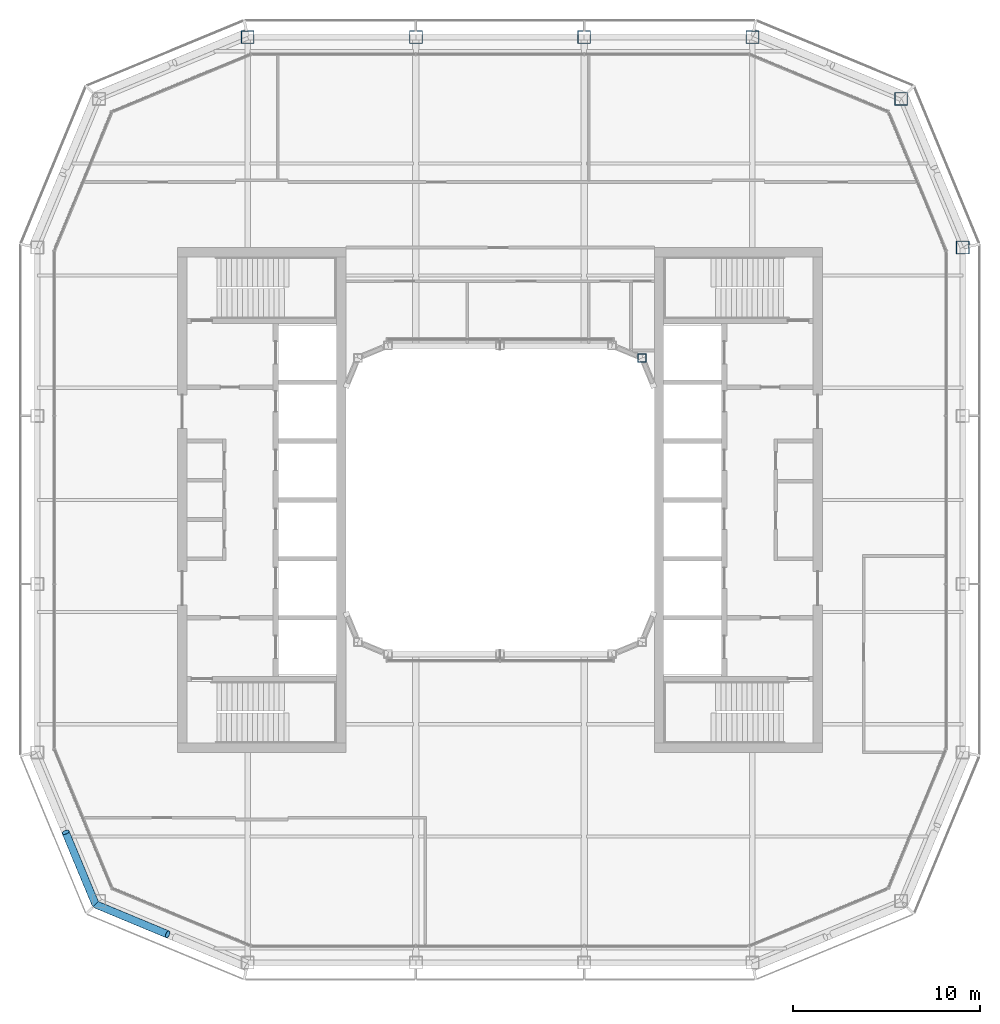
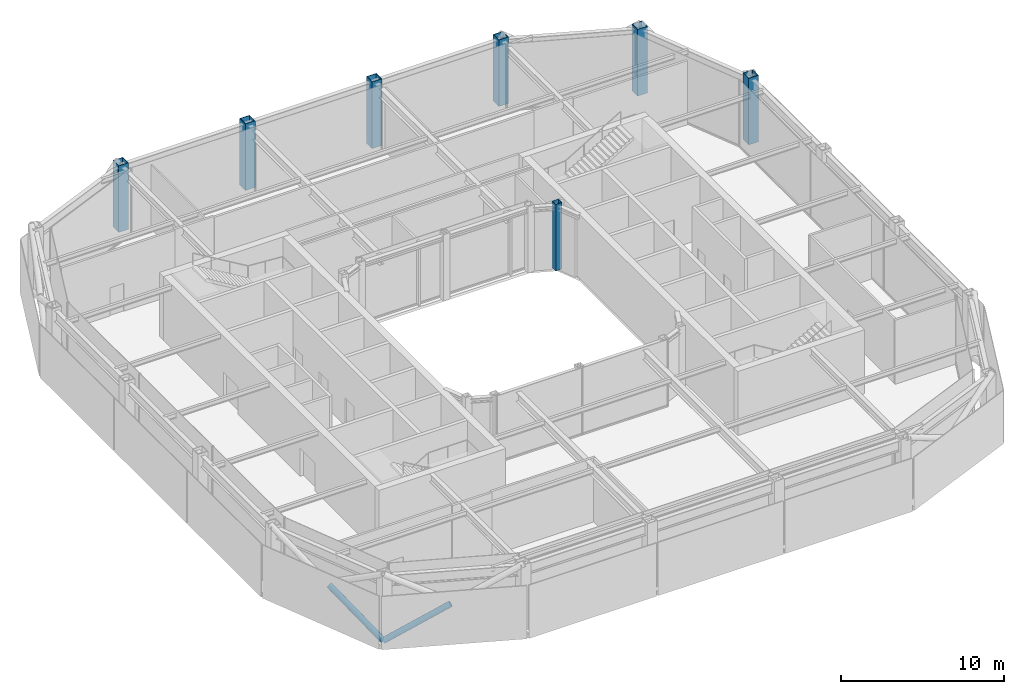
# One storey, part 2 of 17: 7 columns, 2 members.
"""IFC4 building model written with IfcOpenShell, lengths in metres."""

from ifc_helpers import new_model, si_unit, direction, frame, origin, origin_2d, place, context, subcontext, project, spatial, hollow_rectangle, hollow_circle, extrude, material, material_profile, profile_set, type_object, element, save


model = new_model("IFC4")

# Units and contexts
model_context = context("Model", 3, precision=1e-05, world=origin(), true_north=direction((0.0, 1.0)))
body_context = subcontext(model_context, "Body", "Model", "MODEL_VIEW")
ifc_project = project(units=[si_unit("LENGTHUNIT", "METRE"), si_unit("AREAUNIT", "SQUARE_METRE"), si_unit("VOLUMEUNIT", "CUBIC_METRE"), si_unit("PLANEANGLEUNIT", "RADIAN"), si_unit("MASSUNIT", "GRAM", prefix="KILO")], contexts=[model_context])

# Site, building, storey
site_placement = place(None, origin())
site = spatial("IfcSite", under=ifc_project, at=site_placement, CompositionType="ELEMENT")
building_placement = place(site_placement, origin())
building = spatial("IfcBuilding", under=site, at=building_placement, Name="Siwar Civic Tower", CompositionType="ELEMENT")
storey_placement = place(building_placement, frame((0.0, 0.0, 353.199951171875)))
storey = spatial("IfcBuildingStorey", under=building, at=storey_placement, Name="L76", CompositionType="ELEMENT", Elevation=353.199951171875)

# Columns
ifc_material_1 = material(Name="Steel S355", Category="steel")
ifc_material_profile_1 = material_profile(ifc_material_1, hollow_rectangle(XDim=0.699951171875, YDim=0.699951171875, WallThickness=0.035888671875, at=origin_2d()), Name="BOX700x700x36")
ifc_profile_set_1 = profile_set([ifc_material_profile_1], Name="Steel S355")
column_type_1 = type_object("IfcColumnType", Name="STR-COL-BOX700x700x36", PredefinedType="COLUMN", material=ifc_profile_set_1)
for number, where, z_axis, x_axis, name in (
    (1, (24.75, 13.5, 0.0), (0.0, 0.0, 1.0), (1.0, 0.0, 0.0), "L76/col/NE1-0"),
    (2, (21.454833984375, 21.454833984375, 0.0), (0.0, 0.0, 1.0), (1.0, 0.0, 0.0), "L76/col/NE2-0"),
    (3, (13.5, 24.75, 0.0), (0.0, 0.0, 1.0), (1.0, 0.0, 0.0), "L76/col/N-0"),
    (4, (4.5, 24.75, 0.0), (0.0, 0.0, 1.0), (1.0, 0.0, 0.0), "L76/col/N-1"),
    (5, (-4.5, 24.75, 0.0), (0.0, 0.0, 1.0), (1.0, 0.0, 0.0), "L76/col/N-2"),
    (6, (-13.5, 24.75, 0.0), (0.0, 0.0, 1.0), (1.0, 0.0, 0.0), "L76/col/NW1-0"),
):
    element("IfcColumn", number, at=place(storey_placement, frame(where, z_axis=z_axis, x_axis=x_axis)), inside=storey, type_object=column_type_1, Name=name, PredefinedType="COLUMN", context=body_context, shape_type="SweptSolid", body=[
        extrude(hollow_rectangle(XDim=0.699951171875, YDim=0.699951171875, WallThickness=0.035888671875, at=origin_2d()), origin(), (0.0, 0.0, 1.0), 5.0),
    ])
ifc_material_2 = material(Name="Steel S355", Category="steel")
ifc_material_profile_2 = material_profile(ifc_material_2, hollow_rectangle(XDim=0.449951171875, YDim=0.449951171875, WallThickness=0.02197265625, at=origin_2d()), Name="BOX450x450x22")
ifc_profile_set_2 = profile_set([ifc_material_profile_2], Name="Steel S355")
column_type_2 = type_object("IfcColumnType", Name="STR-ICOL-BOX450x450x22", PredefinedType="COLUMN", material=ifc_profile_set_2)
column_placement = place(storey_placement, frame((7.591064453125, 7.591064453125, 0.0), z_axis=(0.0, 0.0, 1.0), x_axis=(1.0, 0.0, 0.0)))
element("IfcColumn", 7, at=column_placement, inside=storey, type_object=column_type_2, Name="L76/col/IN-4", PredefinedType="COLUMN", context=body_context, shape_type="SweptSolid", body=[
    extrude(hollow_rectangle(XDim=0.449951171875, YDim=0.449951171875, WallThickness=0.02197265625, at=origin_2d()), origin(), (0.0, 0.0, 1.0), 5.0),
])

# Members
ifc_material_3 = material(Name="Steel S355", Category="steel")
ifc_material_profile_3 = material_profile(ifc_material_3, hollow_circle(Radius=0.203125, WallThickness=0.01611328125, at=origin_2d()), Name="CHS406.4x16")
ifc_profile_set_3 = profile_set([ifc_material_profile_3], Name="Steel S355")
member_type = type_object("IfcMemberType", Name="STR-BR-CHS406.4x16", PredefinedType="BRACE", material=ifc_profile_set_3)
for number, where, z_axis, x_axis, name in (
    (8, (-21.6318359375, -21.6318359375, 0.0), (0.801737302644, -0.333566570839, 0.495934108897), (0.384133897361, 0.923277395422, 0.0), "L76/brc/DSW1-15-0-2"),
    (9, (-21.6318359375, -21.6318359375, 0.0), (-0.333566570839, 0.801737302644, 0.495934108897), (-0.923277395422, -0.384133897361, 0.0), "L76/brc/DSW1-15-0-4"),
):
    element("IfcMember", number, at=place(storey_placement, frame(where, z_axis=z_axis, x_axis=x_axis)), inside=storey, type_object=member_type, Name=name, PredefinedType="BRACE", context=body_context, shape_type="SweptSolid", body=[
        extrude(hollow_circle(Radius=0.203125, WallThickness=0.01611328125, at=origin_2d()), origin(), (0.0, 0.0, 1.0), 4.81005859375),
    ])

save(model, "model.ifc")
